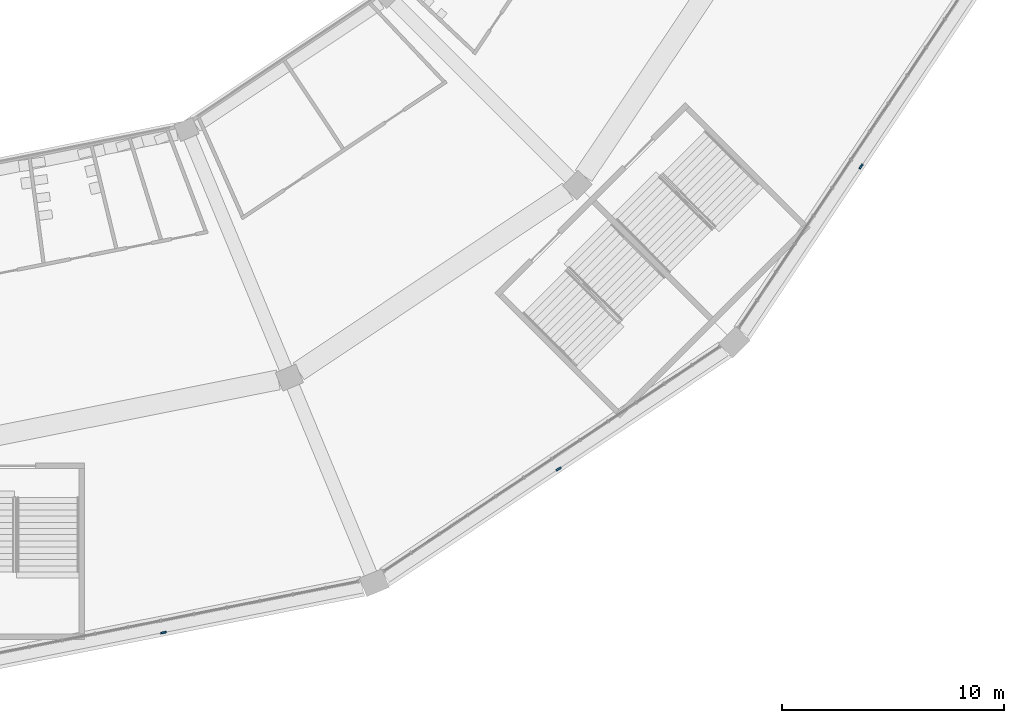
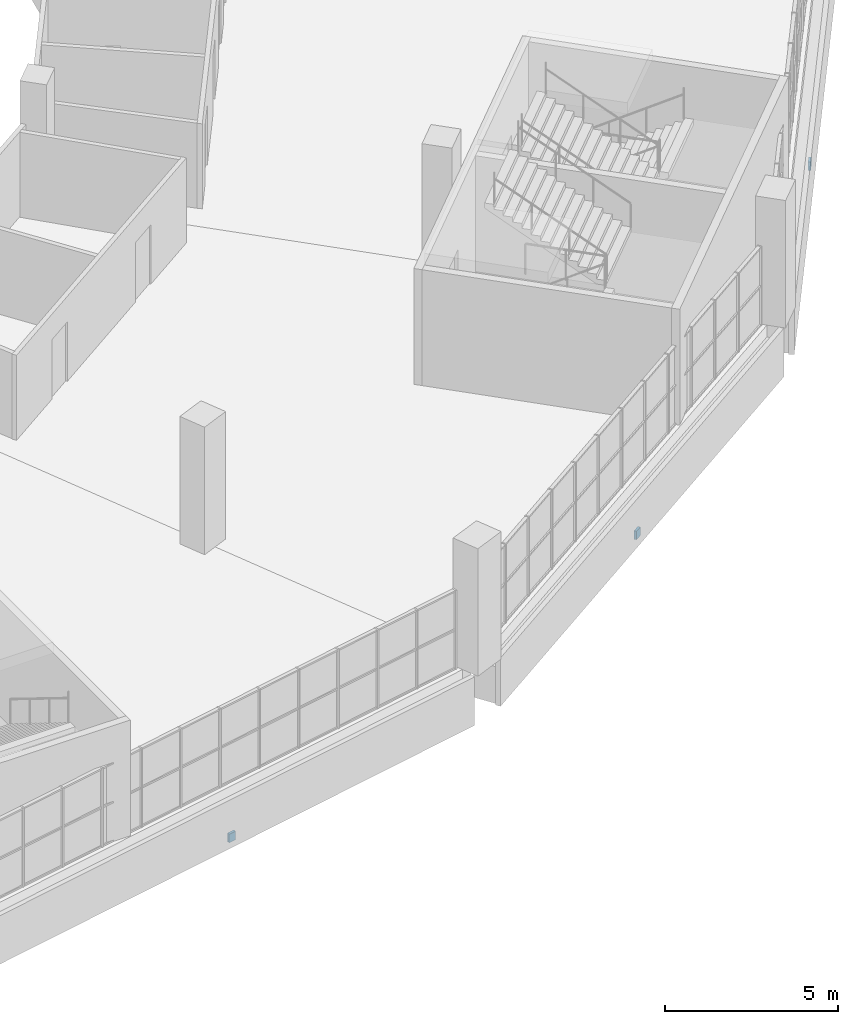
# One storey, part 93 of 199: 3 discrete accessories.
"""IFC4 building model written with IfcOpenShell, lengths in metres."""

from ifc_helpers import new_model, si_unit, direction, frame, origin, origin_2d, place, context, subcontext, project, spatial, rectangle, extrude, material, layer, layer_set, type_object, element, save


model = new_model("IFC4")

# Units and contexts
model_context = context("Model", 3, precision=1e-05, world=origin(), true_north=direction((0.0, 1.0)))
body_context = subcontext(model_context, "Body", "Model", "MODEL_VIEW")
ifc_project = project(units=[si_unit("LENGTHUNIT", "METRE"), si_unit("AREAUNIT", "SQUARE_METRE"), si_unit("VOLUMEUNIT", "CUBIC_METRE"), si_unit("PLANEANGLEUNIT", "RADIAN"), si_unit("MASSUNIT", "GRAM", prefix="KILO")], contexts=[model_context])

# Site, building, storey
site_placement = place(None, origin())
site = spatial("IfcSite", under=ifc_project, at=site_placement, CompositionType="ELEMENT")
building_placement = place(site_placement, origin())
building = spatial("IfcBuilding", under=site, at=building_placement, Name="Ogive Plaza Stadium", CompositionType="ELEMENT")
storey_placement = place(building_placement, frame((0.0, 0.0, 9.0)))
storey = spatial("IfcBuildingStorey", under=building, at=storey_placement, Name="L02", CompositionType="ELEMENT", Elevation=9.0)

# Discrete accessories
ifc_material = material(Name="Steel ASTM A572 Grade 50", Category="steel")
ifc_layer = layer(ifc_material, 0.080078125)
ifc_layer_set = layer_set([ifc_layer], Name="Steel ASTM A572 Grade 50")
discrete_accessory_type = type_object("IfcDiscreteAccessoryType", Name="Spandrel cladding bracket 250x300", PredefinedType="BRACKET", material=ifc_layer_set)
for number, where, z_axis, x_axis, name in (
    (1, (75.065673828125, -79.939208984375, -1.60986328125), (0.0, 0.0, 1.0), (-0.555570233005, -0.831469612312, 0.0), "SPANDREL BRACKET B09 L02"),
    (2, (61.439208984375, -93.565673828125, -1.60986328125), (0.0, 0.0, 1.0), (-0.831469612312, -0.555570233005, 0.0), "SPANDREL BRACKET B10 L02"),
    (3, (43.635498046875, -100.940185546875, -1.60986328125), (0.0, 0.0, 1.0), (-0.980785280403, -0.195090322016, 0.0), "SPANDREL BRACKET B11 L02"),
):
    element("IfcDiscreteAccessory", number, at=place(storey_placement, frame(where, z_axis=z_axis, x_axis=x_axis)), inside=storey, type_object=discrete_accessory_type, Name=name, PredefinedType="BRACKET", context=body_context, shape_type="SweptSolid", body=[
        extrude(rectangle(XDim=0.25, YDim=0.080078125, at=origin_2d()), origin(), (0.0, 0.0, 1.0), 0.300048828125),
    ])

save(model, "model.ifc")
